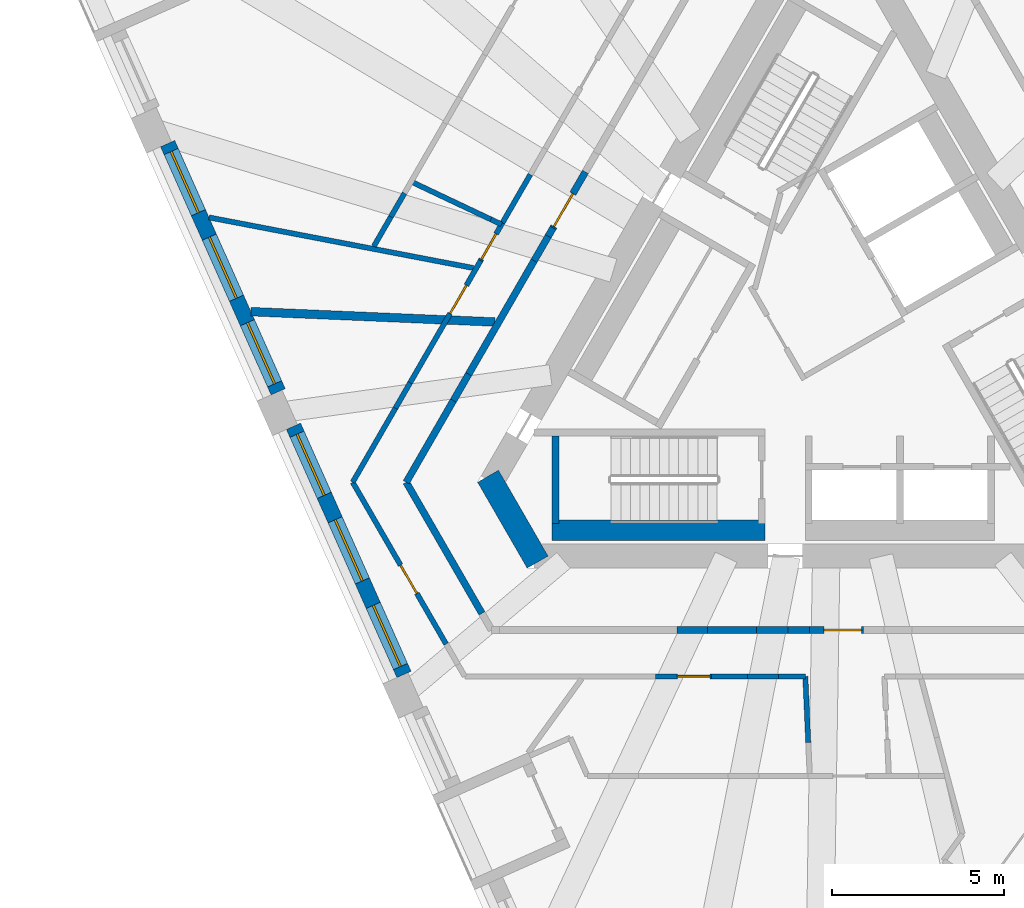
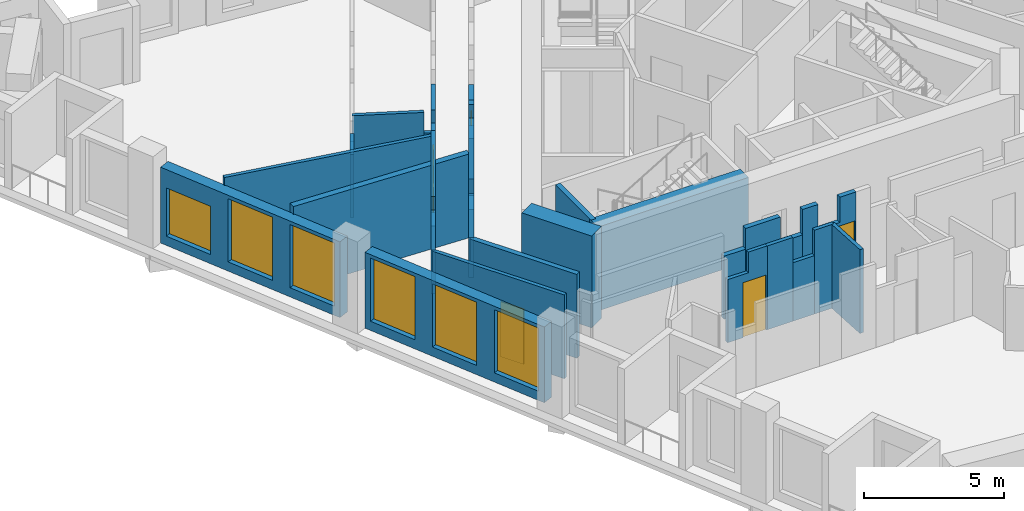
# One storey, part 3 of 11: 34 walls, 6 doors, 6 windows, 12 openings.
"""IFC4 building model written with IfcOpenShell, lengths in metres."""

from ifc_helpers import new_model, si_unit, direction, frame, frame_2d, origin, place, context, subcontext, project, spatial, polyline, rectangle, outline, extrude, material, layer, layer_set, type_object, element, fill, save


model = new_model("IFC4")

# Units and contexts
model_context = context("Model", 3, precision=1e-05, world=origin(), true_north=direction((0.0, 1.0)))
body_context = subcontext(model_context, "Body", "Model", "MODEL_VIEW")
ifc_project = project(units=[si_unit("LENGTHUNIT", "METRE"), si_unit("AREAUNIT", "SQUARE_METRE"), si_unit("VOLUMEUNIT", "CUBIC_METRE"), si_unit("PLANEANGLEUNIT", "RADIAN"), si_unit("MASSUNIT", "GRAM", prefix="KILO")], contexts=[model_context])

# Site, building, storey
site_placement = place(None, origin())
site = spatial("IfcSite", under=ifc_project, at=site_placement, CompositionType="ELEMENT")
building_placement = place(site_placement, origin())
building = spatial("IfcBuilding", under=site, at=building_placement, Name="Tramontana Tower", CompositionType="ELEMENT")
storey_placement = place(building_placement, frame((0.0, 0.0, 265.199951171875)))
storey = spatial("IfcBuildingStorey", under=building, at=storey_placement, Name="L62", CompositionType="ELEMENT", Elevation=265.199951171875)

# Wall
ifc_material_1 = material(Name="Concrete 70 MPa", Category="concrete")
ifc_layer_1 = layer(ifc_material_1, 0.699951171875)
ifc_layer_set_1 = layer_set([ifc_layer_1], Name="Core wall 700 70 MPa")
wall_type_1 = type_object("IfcWallType", Name="Core wall 700 70 MPa", PredefinedType="SHEAR", material=ifc_layer_set_1)
wall_1_placement = place(storey_placement, frame((-9.94482421875, -4.074951171875, 0.0), z_axis=(0.0, 0.0, 1.0), x_axis=(0.499995765644, -0.866027848477, 0.0)))
element("IfcWall", 1, at=wall_1_placement, inside=storey, type_object=wall_type_1, Name="Core wall C2 L62", PredefinedType="SHEAR", context=body_context, shape_type="SweptSolid", body=[
    extrude(rectangle(XDim=2.88671875, YDim=0.699951171875, at=frame_2d((1.443359375, 0.0))), origin(), (0.0, 0.0, 1.0), 4.0),
])

# Wall, opening, door
ifc_material_2 = material(Name="Blockwork", Category="masonry")
ifc_layer_2 = layer(ifc_material_2, 0.199951171875)
ifc_layer_set_2 = layer_set([ifc_layer_2], Name="ENTRY WALL 200")
wall_type_2 = type_object("IfcWallType", Name="ENTRY WALL 200", PredefinedType="SOLIDWALL", material=ifc_layer_set_2)
wall_2_placement = place(storey_placement, frame((-0.585205078125, -8.550048828125, 0.0), z_axis=(0.0, 0.0, 1.0), x_axis=(1.0, 0.0, 0.0)))
wall_2 = element("IfcWall", 2, at=wall_2_placement, inside=storey, type_object=wall_type_2, Name="Wall v62-ew1-5", PredefinedType="SOLIDWALL", context=body_context, shape_type="SweptSolid", body=[
    extrude(outline(polyline([(0.0, 0.0), (1.565673828125, 0.0), (1.56591796875, 3.650146484375), (0.900146484375, 3.650146484375), (0.900146484375, 2.550048828125), (0.0, 2.550048828125), (0.0, 0.0)])), frame((0.0, 0.10009765625, 0.0), z_axis=(0.0, -1.0, 0.0), x_axis=(1.0, 0.0, 0.0)), (0.0, 0.0, 1.0), 0.199951171875),
])
opening_1_placement = place(wall_2_placement, frame((0.415771484375, 0.0, 0.0)))
opening_1 = element("IfcOpeningElement", 3, at=opening_1_placement, cuts=wall_2, Name="Opening B6C-19", PredefinedType="OPENING", context=body_context, shape_type="SweptSolid", body=[
    extrude(rectangle(XDim=1.10009765625, YDim=2.39990234375, at=frame_2d((0.550048828125, 1.199951171875))), frame((0.0, 0.10986328125, 0.0), z_axis=(0.0, -1.0, 0.0), x_axis=(1.0, 0.0, 0.0)), (0.0, 0.0, 1.0), 0.219970703125),
])
ifc_material_3 = material(Name="Painted timber", Category="wood")
door_type_1 = type_object("IfcDoorType", Name="DOOR ENTRY 1100", OperationType="SINGLE_SWING_LEFT", PredefinedType="DOOR", material=ifc_material_3)
door_1_placement = place(opening_1_placement, origin())
door_1 = element("IfcDoor", 4, at=door_1_placement, inside=storey, type_object=door_type_1, Name="Door B6C-19", OperationType="SINGLE_SWING_LEFT", OverallHeight=2.39990234375, OverallWidth=1.10009765625, PredefinedType="DOOR", context=body_context, shape_type="SweptSolid", body=[
    extrude(rectangle(XDim=1.10009765625, YDim=2.39990234375, at=frame_2d((0.550048828125, 1.199951171875))), frame((0.0, 0.02490234375, 0.0), z_axis=(0.0, -1.0, 0.0), x_axis=(1.0, 0.0, 0.0)), (0.0, 0.0, 1.0), 0.050048828125),
])
fill(opening_1, door_1)

# Walls
wall_3_placement = place(storey_placement, frame((-0.585205078125, -8.550048828125, 0.0), z_axis=(0.0, 0.0, 1.0), x_axis=(-1.0, 0.0, 0.0)))
element("IfcWall", 5, at=wall_3_placement, inside=storey, type_object=wall_type_2, Name="Wall v62-ew1-6", PredefinedType="SOLIDWALL", context=body_context, shape_type="SweptSolid", body=[
    extrude(rectangle(XDim=0.6328125, YDim=0.199951171875, at=frame_2d((0.31640625, 0.0))), origin(), (0.0, 0.0, 1.0), 3.650146484375),
])
wall_4_placement = place(storey_placement, frame((-1.218017578125, -8.550048828125, 0.0), z_axis=(0.0, 0.0, 1.0), x_axis=(-1.0, 0.0, 0.0)))
element("IfcWall", 6, at=wall_4_placement, inside=storey, type_object=wall_type_2, Name="Wall v62-ew1-7", PredefinedType="SOLIDWALL", context=body_context, shape_type="SweptSolid", body=[
    extrude(rectangle(XDim=0.9169921875, YDim=0.199951171875, at=frame_2d((0.45849609375, 0.0))), origin(), (0.0, 0.0, 1.0), 2.550048828125),
])
wall_5_placement = place(storey_placement, frame((-2.135009765625, -8.550048828125, 0.0), z_axis=(0.0, 0.0, 1.0), x_axis=(-1.0, 0.0, 0.0)))
element("IfcWall", 7, at=wall_5_placement, inside=storey, type_object=wall_type_2, Name="Wall v62-ew1-8", PredefinedType="SOLIDWALL", context=body_context, shape_type="SweptSolid", body=[
    extrude(rectangle(XDim=1.4296875, YDim=0.199951171875, at=frame_2d((0.71484375, 0.0))), origin(), (0.0, 0.0, 1.0), 3.650146484375),
])
wall_6_placement = place(storey_placement, frame((-3.564697265625, -8.550048828125, 0.0), z_axis=(0.0, 0.0, 1.0), x_axis=(-1.0, 0.0, 0.0)))
element("IfcWall", 8, at=wall_6_placement, inside=storey, type_object=wall_type_2, Name="Wall v62-ew1-9", PredefinedType="SOLIDWALL", context=body_context, shape_type="SweptSolid", body=[
    extrude(rectangle(XDim=0.88330078125, YDim=0.199951171875, at=frame_2d((0.441650390625, 0.0))), origin(), (0.0, 0.0, 1.0), 2.75),
])
wall_7_placement = place(storey_placement, frame((-10.12255859375, -8.067138671875, 0.0), z_axis=(0.0, 0.0, 1.0), x_axis=(-0.500005339912, 0.866022320763, 0.0)))
element("IfcWall", 9, at=wall_7_placement, inside=storey, type_object=wall_type_2, Name="Wall v62-ew2-1", PredefinedType="SOLIDWALL", context=body_context, shape_type="SweptSolid", body=[
    extrude(rectangle(XDim=4.40771484375, YDim=0.199951171875, at=frame_2d((2.203857421875, 0.0))), origin(), (0.0, 0.0, 1.0), 3.650146484375),
])
wall_8_placement = place(storey_placement, frame((-12.326416015625, -4.25, 0.0), z_axis=(0.0, 0.0, 1.0), x_axis=(0.499994514761, 0.866028570666, 0.0)))
element("IfcWall", 10, at=wall_8_placement, inside=storey, type_object=wall_type_2, Name="Wall v62-ew3-0", PredefinedType="SOLIDWALL", context=body_context, shape_type="SweptSolid", body=[
    extrude(rectangle(XDim=2.74462890625, YDim=0.199951171875, at=frame_2d((1.372314453125, 0.0))), origin(), (0.0, 0.0, 1.0), 3.650146484375),
])
wall_9_placement = place(storey_placement, frame((-10.9541015625, -1.873046875, 0.0), z_axis=(0.0, 0.0, 1.0), x_axis=(0.500016243463, 0.866016025414, 0.0)))
element("IfcWall", 11, at=wall_9_placement, inside=storey, type_object=wall_type_2, Name="Wall v62-ew3-1", PredefinedType="SOLIDWALL", context=body_context, shape_type="SweptSolid", body=[
    extrude(rectangle(XDim=0.88720703125, YDim=0.199951171875, at=frame_2d((0.443603515625, 0.0))), origin(), (0.0, 0.0, 1.0), 2.949951171875),
])
wall_10_placement = place(storey_placement, frame((-10.510498046875, -1.104736328125, 0.0), z_axis=(0.0, 0.0, 1.0), x_axis=(0.499997905474, 0.866026613056, 0.0)))
element("IfcWall", 12, at=wall_10_placement, inside=storey, type_object=wall_type_2, Name="Wall v62-ew3-2", PredefinedType="SOLIDWALL", context=body_context, shape_type="SweptSolid", body=[
    extrude(rectangle(XDim=3.810546875, YDim=0.199951171875, at=frame_2d((1.9052734375, 0.0))), origin(), (0.0, 0.0, 1.0), 3.650146484375),
])
wall_11_placement = place(storey_placement, frame((-8.605224609375, 2.1953125, 0.0), z_axis=(0.0, 0.0, 1.0), x_axis=(0.499911126926, 0.866076708598, 0.0)))
element("IfcWall", 13, at=wall_11_placement, inside=storey, type_object=wall_type_2, Name="Wall v62-ew3-3", PredefinedType="SOLIDWALL", context=body_context, shape_type="SweptSolid", body=[
    extrude(rectangle(XDim=0.821533203125, YDim=0.199951171875, at=frame_2d((0.41064453125, 0.0))), origin(), (0.0, 0.0, 1.0), 2.75),
])
wall_12_placement = place(storey_placement, frame((-8.194580078125, 2.90673828125, 0.0), z_axis=(0.0, 0.0, 1.0), x_axis=(0.500220121494, 0.865898279276, 0.0)))
element("IfcWall", 14, at=wall_12_placement, inside=storey, type_object=wall_type_2, Name="Wall v62-ew3-4", PredefinedType="SOLIDWALL", context=body_context, shape_type="SweptSolid", body=[
    extrude(rectangle(XDim=0.282958984375, YDim=0.199951171875, at=frame_2d((0.1416015625, 0.0))), origin(), (0.0, 0.0, 1.0), 3.650146484375),
])

# Wall, opening, door
wall_13_placement = place(storey_placement, frame((-8.052978515625, 3.15185546875, 0.0), z_axis=(0.0, 0.0, 1.0), x_axis=(0.500059305753, 0.865991160884, 0.0)))
wall_13 = element("IfcWall", 15, at=wall_13_placement, inside=storey, type_object=wall_type_2, Name="Wall v62-ew3-5", PredefinedType="SOLIDWALL", context=body_context, shape_type="SweptSolid", body=[
    extrude(outline(polyline([(0.0, 0.0), (1.882080078125, 0.0), (1.882080078125, 2.550048828125), (0.982177734375, 2.550048828125), (0.982177734375, 3.650146484375), (0.0, 3.650146484375), (0.0, 0.0)])), frame((0.0, 0.10009765625, 0.0), z_axis=(0.0, -1.0, 0.0), x_axis=(1.0, 0.0, 0.0)), (0.0, 0.0, 1.0), 0.199951171875),
])
opening_2_placement = place(wall_13_placement, frame((0.050048828125, 0.0, 0.0)))
opening_2 = element("IfcOpeningElement", 16, at=opening_2_placement, cuts=wall_13, Name="Opening B6C-18", PredefinedType="OPENING", context=body_context, shape_type="SweptSolid", body=[
    extrude(rectangle(XDim=1.10009765625, YDim=2.39990234375, at=frame_2d((0.550048828125, 1.199951171875))), frame((0.0, 0.10986328125, 0.0), z_axis=(0.0, -1.0, 0.0), x_axis=(1.0, 0.0, 0.0)), (0.0, 0.0, 1.0), 0.219970703125),
])
door_2_placement = place(opening_2_placement, origin())
door_2 = element("IfcDoor", 17, at=door_2_placement, inside=storey, type_object=door_type_1, Name="Door B6C-18", OperationType="SINGLE_SWING_RIGHT", OverallHeight=2.39990234375, OverallWidth=1.10009765625, PredefinedType="DOOR", context=body_context, shape_type="SweptSolid", body=[
    extrude(rectangle(XDim=1.10009765625, YDim=2.39990234375, at=frame_2d((0.550048828125, 1.199951171875))), frame((0.0, 0.02490234375, 0.0), z_axis=(0.0, -1.0, 0.0), x_axis=(1.0, 0.0, 0.0)), (0.0, 0.0, 1.0), 0.050048828125),
])
fill(opening_2, door_2)

# Wall, openings, windows
ifc_material_4 = material(Name="Precast concrete 60 MPa", Category="concrete")
ifc_layer_3 = layer(ifc_material_4, 0.449951171875)
ifc_layer_set_3 = layer_set([ifc_layer_3], Name="Precast concrete 60 MPa, 450 mm")
wall_type_3 = type_object("IfcWallType", Name="EW1 Stone-faced precast wall 450", PredefinedType="SOLIDWALL", material=ifc_layer_set_3)
wall_14_placement = place(storey_placement, frame((-19.271484375, 5.606201171875, 0.0), z_axis=(0.0, 0.0, 1.0), x_axis=(0.406760076741, -0.913535023942, 0.0)))
wall_14 = element("IfcWall", 18, at=wall_14_placement, inside=storey, type_object=wall_type_3, Name="External wall L62 face 0 bay 2", PredefinedType="SOLIDWALL", context=body_context, shape_type="SweptSolid", body=[
    extrude(rectangle(XDim=7.906494140625, YDim=0.449951171875, at=frame_2d((3.953125, 0.0))), origin(), (0.0, 0.0, 1.0), 3.300048828125),
])
opening_3_placement = place(wall_14_placement, frame((0.251220703125, 0.0, 0.39990234375)))
opening_3 = element("IfcOpeningElement", 19, at=opening_3_placement, cuts=wall_14, Name="Opening M3L", PredefinedType="OPENING", context=body_context, shape_type="SweptSolid", body=[
    extrude(rectangle(XDim=1.949951171875, YDim=2.10009765625, at=frame_2d((0.97509765625, 1.050048828125))), frame((0.0, 0.23486328125, 0.0), z_axis=(0.0, -1.0, 0.0), x_axis=(1.0, 0.0, 0.0)), (0.0, 0.0, 1.0), 0.469970703125),
])
opening_4_placement = place(wall_14_placement, frame((2.978271484375, 0.0, 0.39990234375)))
opening_4 = element("IfcOpeningElement", 20, at=opening_4_placement, cuts=wall_14, Name="Opening M3", PredefinedType="OPENING", context=body_context, shape_type="SweptSolid", body=[
    extrude(rectangle(XDim=1.949951171875, YDim=2.75, at=frame_2d((0.97509765625, 1.375))), frame((0.0, 0.23486328125, 0.0), z_axis=(0.0, -1.0, 0.0), x_axis=(1.0, 0.0, 0.0)), (0.0, 0.0, 1.0), 0.469970703125),
])
opening_5_placement = place(wall_14_placement, frame((5.70556640625, 0.0, 0.39990234375)))
opening_5 = element("IfcOpeningElement", 21, at=opening_5_placement, cuts=wall_14, Name="Opening M3", PredefinedType="OPENING", context=body_context, shape_type="SweptSolid", body=[
    extrude(rectangle(XDim=1.949951171875, YDim=2.75, at=frame_2d((0.97509765625, 1.375))), frame((0.0, 0.23486328125, 0.0), z_axis=(0.0, -1.0, 0.0), x_axis=(1.0, 0.0, 0.0)), (0.0, 0.0, 1.0), 0.469970703125),
])
ifc_material_5 = material(Name="Aluminum frame, double glazing unit", Category="aluminium")
window_type_1 = type_object("IfcWindowType", Name="M3 Window 1.95 x 2.75", PartitioningType="SINGLE_PANEL", PredefinedType="WINDOW", material=ifc_material_5)
window_1_placement = place(opening_4_placement, origin())
window_1 = element("IfcWindow", 22, at=window_1_placement, inside=storey, type_object=window_type_1, Name="Window M3 L62 face 0 module 5", OverallHeight=2.75, OverallWidth=1.949951171875, PartitioningType="SINGLE_PANEL", PredefinedType="WINDOW", context=body_context, shape_type="SweptSolid", body=[
    extrude(rectangle(XDim=1.949951171875, YDim=2.75, at=frame_2d((0.97509765625, 1.375))), frame((0.0, 0.030029296875, 0.0), z_axis=(0.0, -1.0, 0.0), x_axis=(1.0, 0.0, 0.0)), (0.0, 0.0, 1.0), 0.06005859375),
])
fill(opening_4, window_1)
window_2_placement = place(opening_5_placement, origin())
window_2 = element("IfcWindow", 23, at=window_2_placement, inside=storey, type_object=window_type_1, Name="Window M3 L62 face 0 module 6", OverallHeight=2.75, OverallWidth=1.949951171875, PartitioningType="SINGLE_PANEL", PredefinedType="WINDOW", context=body_context, shape_type="SweptSolid", body=[
    extrude(rectangle(XDim=1.949951171875, YDim=2.75, at=frame_2d((0.97509765625, 1.375))), frame((0.0, 0.030029296875, 0.0), z_axis=(0.0, -1.0, 0.0), x_axis=(1.0, 0.0, 0.0)), (0.0, 0.0, 1.0), 0.06005859375),
])
fill(opening_5, window_2)
ifc_material_6 = material(Name="Aluminum frame, double glazing unit", Category="aluminium")
window_type_2 = type_object("IfcWindowType", Name="M3L Window 1.95 x 2.1", PartitioningType="SINGLE_PANEL", PredefinedType="WINDOW", material=ifc_material_6)
window_3_placement = place(opening_3_placement, origin())
window_3 = element("IfcWindow", 24, at=window_3_placement, inside=storey, type_object=window_type_2, Name="Window M3L L62 face 0 module 4", OverallHeight=2.10009765625, OverallWidth=1.949951171875, PartitioningType="SINGLE_PANEL", PredefinedType="WINDOW", context=body_context, shape_type="SweptSolid", body=[
    extrude(rectangle(XDim=1.949951171875, YDim=2.10009765625, at=frame_2d((0.97509765625, 1.050048828125))), frame((0.0, 0.030029296875, 0.0), z_axis=(0.0, -1.0, 0.0), x_axis=(1.0, 0.0, 0.0)), (0.0, 0.0, 1.0), 0.06005859375),
])
fill(opening_3, window_3)

wall_15_placement = place(storey_placement, frame((-15.608154296875, -2.62158203125, 0.0), z_axis=(0.0, 0.0, 1.0), x_axis=(0.406748602972, -0.91354013266, 0.0)))
wall_15 = element("IfcWall", 25, at=wall_15_placement, inside=storey, type_object=wall_type_3, Name="External wall L62 face 0 bay 3", PredefinedType="SOLIDWALL", context=body_context, shape_type="SweptSolid", body=[
    extrude(rectangle(XDim=7.90673828125, YDim=0.449951171875, at=frame_2d((3.953369140625, 0.0))), origin(), (0.0, 0.0, 1.0), 3.300048828125),
])
opening_6_placement = place(wall_15_placement, frame((0.251220703125, 0.0, 0.39990234375)))
opening_6 = element("IfcOpeningElement", 26, at=opening_6_placement, cuts=wall_15, Name="Opening M3", PredefinedType="OPENING", context=body_context, shape_type="SweptSolid", body=[
    extrude(rectangle(XDim=1.949951171875, YDim=2.75, at=frame_2d((0.97509765625, 1.375))), frame((0.0, 0.23486328125, 0.0), z_axis=(0.0, -1.0, 0.0), x_axis=(1.0, 0.0, 0.0)), (0.0, 0.0, 1.0), 0.469970703125),
])
opening_7_placement = place(wall_15_placement, frame((2.978271484375, 0.0, 0.39990234375)))
opening_7 = element("IfcOpeningElement", 27, at=opening_7_placement, cuts=wall_15, Name="Opening M3", PredefinedType="OPENING", context=body_context, shape_type="SweptSolid", body=[
    extrude(rectangle(XDim=1.949951171875, YDim=2.75, at=frame_2d((0.97509765625, 1.375))), frame((0.0, 0.23486328125, 0.0), z_axis=(0.0, -1.0, 0.0), x_axis=(1.0, 0.0, 0.0)), (0.0, 0.0, 1.0), 0.469970703125),
])
opening_8_placement = place(wall_15_placement, frame((5.70556640625, 0.0, 0.39990234375)))
opening_8 = element("IfcOpeningElement", 28, at=opening_8_placement, cuts=wall_15, Name="Opening M3", PredefinedType="OPENING", context=body_context, shape_type="SweptSolid", body=[
    extrude(rectangle(XDim=1.949951171875, YDim=2.75, at=frame_2d((0.97509765625, 1.375))), frame((0.0, 0.23486328125, 0.0), z_axis=(0.0, -1.0, 0.0), x_axis=(1.0, 0.0, 0.0)), (0.0, 0.0, 1.0), 0.469970703125),
])
window_4_placement = place(opening_6_placement, origin())
window_4 = element("IfcWindow", 29, at=window_4_placement, inside=storey, type_object=window_type_1, Name="Window M3 L62 face 0 module 7", OverallHeight=2.75, OverallWidth=1.949951171875, PartitioningType="SINGLE_PANEL", PredefinedType="WINDOW", context=body_context, shape_type="SweptSolid", body=[
    extrude(rectangle(XDim=1.949951171875, YDim=2.75, at=frame_2d((0.97509765625, 1.375))), frame((0.0, 0.030029296875, 0.0), z_axis=(0.0, -1.0, 0.0), x_axis=(1.0, 0.0, 0.0)), (0.0, 0.0, 1.0), 0.06005859375),
])
fill(opening_6, window_4)
window_5_placement = place(opening_7_placement, origin())
window_5 = element("IfcWindow", 30, at=window_5_placement, inside=storey, type_object=window_type_1, Name="Window M3 L62 face 0 module 8", OverallHeight=2.75, OverallWidth=1.949951171875, PartitioningType="SINGLE_PANEL", PredefinedType="WINDOW", context=body_context, shape_type="SweptSolid", body=[
    extrude(rectangle(XDim=1.949951171875, YDim=2.75, at=frame_2d((0.97509765625, 1.375))), frame((0.0, 0.030029296875, 0.0), z_axis=(0.0, -1.0, 0.0), x_axis=(1.0, 0.0, 0.0)), (0.0, 0.0, 1.0), 0.06005859375),
])
fill(opening_7, window_5)
window_6_placement = place(opening_8_placement, origin())
window_6 = element("IfcWindow", 31, at=window_6_placement, inside=storey, type_object=window_type_1, Name="Window M3 L62 face 0 module 9", OverallHeight=2.75, OverallWidth=1.949951171875, PartitioningType="SINGLE_PANEL", PredefinedType="WINDOW", context=body_context, shape_type="SweptSolid", body=[
    extrude(rectangle(XDim=1.949951171875, YDim=2.75, at=frame_2d((0.97509765625, 1.375))), frame((0.0, 0.030029296875, 0.0), z_axis=(0.0, -1.0, 0.0), x_axis=(1.0, 0.0, 0.0)), (0.0, 0.0, 1.0), 0.06005859375),
])
fill(opening_8, window_6)

# Walls
ifc_material_7 = material(Name="Gypsum board partition")
ifc_layer_4 = layer(ifc_material_7, 0.14990234375)
ifc_layer_set_4 = layer_set([ifc_layer_4], Name="PARTITION 150")
wall_type_4 = type_object("IfcWallType", Name="PARTITION 150", PredefinedType="PARTITIONING", material=ifc_layer_set_4)
wall_16_placement = place(storey_placement, frame((-13.88525390625, -4.25, 0.0), z_axis=(0.0, 0.0, 1.0), x_axis=(0.499999788377, 0.866025525965, 0.0)))
element("IfcWall", 32, at=wall_16_placement, inside=storey, type_object=wall_type_4, Name="Wall v62-pw00-0", PredefinedType="PARTITIONING", context=body_context, shape_type="SweptSolid", body=[
    extrude(rectangle(XDim=2.4892578125, YDim=0.14990234375, at=frame_2d((1.24462890625, 0.0))), origin(), (0.0, 0.0, 1.0), 3.650146484375),
])
wall_17_placement = place(storey_placement, frame((-12.640625, -2.09423828125, 0.0), z_axis=(0.0, 0.0, 1.0), x_axis=(0.500068347527, 0.865985939725, 0.0)))
element("IfcWall", 33, at=wall_17_placement, inside=storey, type_object=wall_type_4, Name="Wall v62-pw00-1", PredefinedType="PARTITIONING", context=body_context, shape_type="SweptSolid", body=[
    extrude(rectangle(XDim=0.85546875, YDim=0.14990234375, at=frame_2d((0.427734375, 0.0))), origin(), (0.0, 0.0, 1.0), 2.949951171875),
])

# Wall, opening, door
wall_18_placement = place(storey_placement, frame((-12.212890625, -1.353515625, 0.0), z_axis=(0.0, 0.0, 1.0), x_axis=(0.499992034702, 0.866030002502, 0.0)))
wall_18 = element("IfcWall", 34, at=wall_18_placement, inside=storey, type_object=wall_type_4, Name="Wall v62-pw00-2", PredefinedType="PARTITIONING", context=body_context, shape_type="SweptSolid", body=[
    extrude(rectangle(XDim=4.1025390625, YDim=0.14990234375, at=frame_2d((2.05126953125, 0.0))), origin(), (0.0, 0.0, 1.0), 3.650146484375),
])
opening_9_placement = place(wall_18_placement, frame((2.325439453125, 0.0, 0.0)))
opening_9 = element("IfcOpeningElement", 35, at=opening_9_placement, cuts=wall_18, Name="Opening B6C-04", PredefinedType="OPENING", context=body_context, shape_type="SweptSolid", body=[
    extrude(rectangle(XDim=0.949951171875, YDim=2.39990234375, at=frame_2d((0.47509765625, 1.199951171875))), frame((0.0, 0.0849609375, 0.0), z_axis=(0.0, -1.0, 0.0), x_axis=(1.0, 0.0, 0.0)), (0.0, 0.0, 1.0), 0.169921875),
])
ifc_material_8 = material(Name="Painted timber", Category="wood")
door_type_2 = type_object("IfcDoorType", Name="DOOR ROOM 950", OperationType="SINGLE_SWING_LEFT", PredefinedType="DOOR", material=ifc_material_8)
door_3_placement = place(opening_9_placement, origin())
door_3 = element("IfcDoor", 36, at=door_3_placement, inside=storey, type_object=door_type_2, Name="Door B6C-04", OperationType="SINGLE_SWING_RIGHT", OverallHeight=2.39990234375, OverallWidth=0.949951171875, PredefinedType="DOOR", context=body_context, shape_type="SweptSolid", body=[
    extrude(rectangle(XDim=0.949951171875, YDim=2.39990234375, at=frame_2d((0.47509765625, 1.199951171875))), frame((0.0, 0.02490234375, 0.0), z_axis=(0.0, -1.0, 0.0), x_axis=(1.0, 0.0, 0.0)), (0.0, 0.0, 1.0), 0.050048828125),
])
fill(opening_9, door_3)

wall_19_placement = place(storey_placement, frame((-10.16162109375, 2.199462890625, 0.0), z_axis=(0.0, 0.0, 1.0), x_axis=(0.499905678569, 0.86607985344, 0.0)))
wall_19 = element("IfcWall", 37, at=wall_19_placement, inside=storey, type_object=wall_type_4, Name="Wall v62-pw00-3", PredefinedType="PARTITIONING", context=body_context, shape_type="SweptSolid", body=[
    extrude(outline(polyline([(0.0, 0.0), (1.268798828125, 0.0), (1.268798828125, 2.75), (0.47314453125, 2.75), (0.47314453125, 3.650146484375), (0.0, 3.650146484375), (0.0, 0.0)])), frame((0.0, 0.074951171875, 0.0), z_axis=(0.0, -1.0, 0.0), x_axis=(1.0, 0.0, 0.0)), (0.0, 0.0, 1.0), 0.14990234375),
])
opening_10_placement = place(wall_19_placement, frame((0.050048828125, 0.0, 0.0)))
opening_10 = element("IfcOpeningElement", 38, at=opening_10_placement, cuts=wall_19, Name="Opening B6C-02", PredefinedType="OPENING", context=body_context, shape_type="SweptSolid", body=[
    extrude(rectangle(XDim=0.85009765625, YDim=2.39990234375, at=frame_2d((0.425048828125, 1.199951171875))), frame((0.0, 0.0849609375, 0.0), z_axis=(0.0, -1.0, 0.0), x_axis=(1.0, 0.0, 0.0)), (0.0, 0.0, 1.0), 0.169921875),
])
ifc_material_9 = material(Name="Painted timber", Category="wood")
door_type_3 = type_object("IfcDoorType", Name="DOOR BATH 850", OperationType="SINGLE_SWING_LEFT", PredefinedType="DOOR", material=ifc_material_9)
door_4_placement = place(opening_10_placement, origin())
door_4 = element("IfcDoor", 39, at=door_4_placement, inside=storey, type_object=door_type_3, Name="Door B6C-02", OperationType="SINGLE_SWING_RIGHT", OverallHeight=2.39990234375, OverallWidth=0.85009765625, PredefinedType="DOOR", context=body_context, shape_type="SweptSolid", body=[
    extrude(rectangle(XDim=0.85009765625, YDim=2.39990234375, at=frame_2d((0.425048828125, 1.199951171875))), frame((0.0, 0.02490234375, 0.0), z_axis=(0.0, -1.0, 0.0), x_axis=(1.0, 0.0, 0.0)), (0.0, 0.0, 1.0), 0.050048828125),
])
fill(opening_10, door_4)

# Walls
wall_20_placement = place(storey_placement, frame((-9.52734375, 3.29833984375, 0.0), z_axis=(0.0, 0.0, 1.0), x_axis=(0.500094991843, 0.865970553272, 0.0)))
element("IfcWall", 40, at=wall_20_placement, inside=storey, type_object=wall_type_4, Name="Wall v62-pw00-4", PredefinedType="PARTITIONING", context=body_context, shape_type="SweptSolid", body=[
    extrude(rectangle(XDim=1.626220703125, YDim=0.14990234375, at=frame_2d((0.81298828125, 0.0))), origin(), (0.0, 0.0, 1.0), 3.650146484375),
])
wall_21_placement = place(storey_placement, frame((-13.27001953125, 2.61572265625, 0.0), z_axis=(0.0, 0.0, 1.0), x_axis=(0.49997816789, 0.866038008192, 0.0)))
element("IfcWall", 41, at=wall_21_placement, inside=storey, type_object=wall_type_4, Name="Wall v62-pw01-0", PredefinedType="PARTITIONING", context=body_context, shape_type="SweptSolid", body=[
    extrude(rectangle(XDim=0.99169921875, YDim=0.14990234375, at=frame_2d((0.495849609375, 0.0))), origin(), (0.0, 0.0, 1.0), 3.650146484375),
])
wall_22_placement = place(storey_placement, frame((-12.774169921875, 3.474609375, 0.0), z_axis=(0.0, 0.0, 1.0), x_axis=(0.500165123728, 0.865930048564, 0.0)))
element("IfcWall", 42, at=wall_22_placement, inside=storey, type_object=wall_type_4, Name="Wall v62-pw01-1", PredefinedType="PARTITIONING", context=body_context, shape_type="SweptSolid", body=[
    extrude(rectangle(XDim=0.795654296875, YDim=0.14990234375, at=frame_2d((0.39794921875, 0.0))), origin(), (0.0, 0.0, 1.0), 2.75),
])

# Wall, opening, door
wall_23_placement = place(storey_placement, frame((-11.1650390625, -8.96142578125, 0.0), z_axis=(0.0, 0.0, 1.0), x_axis=(-0.500009912158, 0.866019680922, 0.0)))
wall_23 = element("IfcWall", 43, at=wall_23_placement, inside=storey, type_object=wall_type_4, Name="Wall v62-pw02-2", PredefinedType="PARTITIONING", context=body_context, shape_type="SweptSolid", body=[
    extrude(rectangle(XDim=5.4404296875, YDim=0.14990234375, at=frame_2d((2.72021484375, 0.0))), origin(), (0.0, 0.0, 1.0), 3.650146484375),
])
opening_11_placement = place(wall_23_placement, frame((1.703125, 0.0, 0.0)))
opening_11 = element("IfcOpeningElement", 44, at=opening_11_placement, cuts=wall_23, Name="Opening B6C-08", PredefinedType="OPENING", context=body_context, shape_type="SweptSolid", body=[
    extrude(rectangle(XDim=0.949951171875, YDim=2.39990234375, at=frame_2d((0.47509765625, 1.199951171875))), frame((0.0, 0.0849609375, 0.0), z_axis=(0.0, -1.0, 0.0), x_axis=(1.0, 0.0, 0.0)), (0.0, 0.0, 1.0), 0.169921875),
])
door_5_placement = place(opening_11_placement, origin())
door_5 = element("IfcDoor", 45, at=door_5_placement, inside=storey, type_object=door_type_2, Name="Door B6C-08", OperationType="SINGLE_SWING_RIGHT", OverallHeight=2.39990234375, OverallWidth=0.949951171875, PredefinedType="DOOR", context=body_context, shape_type="SweptSolid", body=[
    extrude(rectangle(XDim=0.949951171875, YDim=2.39990234375, at=frame_2d((0.47509765625, 1.199951171875))), frame((0.0, 0.02490234375, 0.0), z_axis=(0.0, -1.0, 0.0), x_axis=(1.0, 0.0, 0.0)), (0.0, 0.0, 1.0), 0.050048828125),
])
fill(opening_11, door_5)

# Walls
wall_24_placement = place(storey_placement, frame((-10.3720703125, 1.98486328125, 0.0), z_axis=(0.0, 0.0, 1.0), x_axis=(-0.982181141847, 0.187936703706, 0.0)))
element("IfcWall", 46, at=wall_24_placement, inside=storey, type_object=wall_type_4, Name="Wall v62-pw03", PredefinedType="PARTITIONING", context=body_context, shape_type="SweptSolid", body=[
    extrude(rectangle(XDim=7.8359375, YDim=0.14990234375, at=frame_2d((3.91796875, 0.0))), origin(), (0.0, 0.0, 1.0), 3.650146484375),
])
wall_25_placement = place(storey_placement, frame((-9.554931640625, 3.25439453125, 0.0), z_axis=(0.0, 0.0, 1.0), x_axis=(-0.903825387081, 0.427901471917, 0.0)))
element("IfcWall", 47, at=wall_25_placement, inside=storey, type_object=wall_type_4, Name="Wall v62-pw05-0", PredefinedType="PARTITIONING", context=body_context, shape_type="SweptSolid", body=[
    extrude(rectangle(XDim=0.340576171875, YDim=0.14990234375, at=frame_2d((0.17041015625, 0.0))), origin(), (0.0, 0.0, 1.0), 2.75),
])
wall_26_placement = place(storey_placement, frame((-9.86279296875, 3.400146484375, 0.0), z_axis=(0.0, 0.0, 1.0), x_axis=(-0.903761094906, 0.428037245265, 0.0)))
element("IfcWall", 48, at=wall_26_placement, inside=storey, type_object=wall_type_4, Name="Wall v62-pw05-1", PredefinedType="PARTITIONING", context=body_context, shape_type="SweptSolid", body=[
    extrude(rectangle(XDim=2.56494140625, YDim=0.14990234375, at=frame_2d((1.282470703125, 0.0))), origin(), (0.0, 0.0, 1.0), 3.650146484375),
])
wall_27_placement = place(storey_placement, frame((-0.71044921875, -9.89990234375, 0.0), z_axis=(0.0, 0.0, 1.0), x_axis=(-1.0, 0.0, 0.0)))
element("IfcWall", 49, at=wall_27_placement, inside=storey, type_object=wall_type_4, Name="Wall v62-pw11-0", PredefinedType="PARTITIONING", context=body_context, shape_type="SweptSolid", body=[
    extrude(rectangle(XDim=0.784912109375, YDim=0.14990234375, at=frame_2d((0.392578125, 0.0))), origin(), (0.0, 0.0, 1.0), 3.650146484375),
])
wall_28_placement = place(storey_placement, frame((-1.495361328125, -9.89990234375, 0.0), z_axis=(0.0, 0.0, 1.0), x_axis=(-1.0, 0.0, 0.0)))
element("IfcWall", 50, at=wall_28_placement, inside=storey, type_object=wall_type_4, Name="Wall v62-pw11-1", PredefinedType="PARTITIONING", context=body_context, shape_type="SweptSolid", body=[
    extrude(rectangle(XDim=0.891845703125, YDim=0.14990234375, at=frame_2d((0.44580078125, 0.0))), origin(), (0.0, 0.0, 1.0), 2.550048828125),
])
wall_29_placement = place(storey_placement, frame((-2.38720703125, -9.89990234375, 0.0), z_axis=(0.0, 0.0, 1.0), x_axis=(-1.0, 0.0, 0.0)))
element("IfcWall", 51, at=wall_29_placement, inside=storey, type_object=wall_type_4, Name="Wall v62-pw11-2", PredefinedType="PARTITIONING", context=body_context, shape_type="SweptSolid", body=[
    extrude(rectangle(XDim=1.048583984375, YDim=0.14990234375, at=frame_2d((0.5244140625, 0.0))), origin(), (0.0, 0.0, 1.0), 3.650146484375),
])

# Wall, opening, door
wall_30_placement = place(storey_placement, frame((-3.435791015625, -9.89990234375, 0.0), z_axis=(0.0, 0.0, 1.0), x_axis=(-1.0, 0.0, 0.0)))
wall_30 = element("IfcWall", 52, at=wall_30_placement, inside=storey, type_object=wall_type_4, Name="Wall v62-pw11-3", PredefinedType="PARTITIONING", context=body_context, shape_type="SweptSolid", body=[
    extrude(outline(polyline([(0.0, 0.0), (1.631103515625, 0.0), (1.630859375, 2.75), (0.775146484375, 2.75), (0.775146484375, 3.650146484375), (0.0, 3.650146484375), (0.0, 0.0)])), frame((0.0, 0.074951171875, 0.0), z_axis=(0.0, -1.0, 0.0), x_axis=(1.0, 0.0, 0.0)), (0.0, 0.0, 1.0), 0.14990234375),
])
opening_12_placement = place(wall_30_placement, frame((0.050048828125, 0.0, 0.0)))
opening_12 = element("IfcOpeningElement", 53, at=opening_12_placement, cuts=wall_30, Name="Opening B6C-05", PredefinedType="OPENING", context=body_context, shape_type="SweptSolid", body=[
    extrude(rectangle(XDim=0.949951171875, YDim=2.39990234375, at=frame_2d((0.47509765625, 1.199951171875))), frame((0.0, 0.0849609375, 0.0), z_axis=(0.0, -1.0, 0.0), x_axis=(1.0, 0.0, 0.0)), (0.0, 0.0, 1.0), 0.169921875),
])
door_6_placement = place(opening_12_placement, origin())
door_6 = element("IfcDoor", 54, at=door_6_placement, inside=storey, type_object=door_type_2, Name="Door B6C-05", OperationType="SINGLE_SWING_LEFT", OverallHeight=2.39990234375, OverallWidth=0.949951171875, PredefinedType="DOOR", context=body_context, shape_type="SweptSolid", body=[
    extrude(rectangle(XDim=0.949951171875, YDim=2.39990234375, at=frame_2d((0.47509765625, 1.199951171875))), frame((0.0, 0.02490234375, 0.0), z_axis=(0.0, -1.0, 0.0), x_axis=(1.0, 0.0, 0.0)), (0.0, 0.0, 1.0), 0.050048828125),
])
fill(opening_12, door_6)

# Walls
wall_31_placement = place(storey_placement, frame((-0.62451171875, -11.82958984375, 0.0), z_axis=(0.0, 0.0, 1.0), x_axis=(-0.044490315678, 0.999009815673, 0.0)))
element("IfcWall", 55, at=wall_31_placement, inside=storey, type_object=wall_type_4, Name="Wall v62-pw12-1", PredefinedType="PARTITIONING", context=body_context, shape_type="SweptSolid", body=[
    extrude(rectangle(XDim=1.931640625, YDim=0.14990234375, at=frame_2d((0.9658203125, 0.0))), origin(), (0.0, 0.0, 1.0), 3.650146484375),
])
ifc_material_10 = material(Name="Blockwork", Category="masonry")
ifc_layer_5 = layer(ifc_material_10, 0.25)
ifc_layer_set_5 = layer_set([ifc_layer_5], Name="PARTY WALL 250")
wall_type_5 = type_object("IfcWallType", Name="PARTY WALL 250", PredefinedType="SOLIDWALL", material=ifc_layer_set_5)
wall_32_placement = place(storey_placement, frame((-9.749267578125, 0.413818359375, 0.0), z_axis=(0.0, 0.0, 1.0), x_axis=(-0.999101948484, 0.042370939757, 0.0)))
element("IfcWall", 56, at=wall_32_placement, inside=storey, type_object=wall_type_5, Name="Wall v62-pw04", PredefinedType="SOLIDWALL", context=body_context, shape_type="SweptSolid", body=[
    extrude(rectangle(XDim=7.1044921875, YDim=0.25, at=frame_2d((3.55224609375, 0.0))), origin(), (0.0, 0.0, 1.0), 3.650146484375),
])
ifc_material_11 = material(Name="Concrete 70 MPa", Category="concrete")
ifc_layer_6 = layer(ifc_material_11, 0.60009765625)
ifc_layer_set_6 = layer_set([ifc_layer_6], Name="Concrete 70 MPa, 600 mm")
wall_type_6 = type_object("IfcWallType", Name="RC SHAFT BACK WALL 600", PredefinedType="SOLIDWALL", material=ifc_layer_set_6)
wall_33_placement = place(storey_placement, frame((-8.080078125, -5.64990234375, 0.0), z_axis=(0.0, 0.0, 1.0), x_axis=(1.0, 0.0, 0.0)))
element("IfcWall", 57, at=wall_33_placement, inside=storey, type_object=wall_type_6, Name="Wall st2-back", PredefinedType="SOLIDWALL", context=body_context, shape_type="SweptSolid", body=[
    extrude(rectangle(XDim=6.2001953125, YDim=0.60009765625, at=frame_2d((3.10009765625, 0.0))), origin(), (0.0, 0.0, 1.0), 3.650146484375),
])
ifc_material_12 = material(Name="Concrete 70 MPa", Category="concrete")
ifc_layer_7 = layer(ifc_material_12, 0.199951171875)
ifc_layer_set_7 = layer_set([ifc_layer_7], Name="Concrete 70 MPa, 200 mm")
wall_type_7 = type_object("IfcWallType", Name="RC STAIR AND SHAFT WALL 200", PredefinedType="SOLIDWALL", material=ifc_layer_set_7)
wall_34_placement = place(storey_placement, frame((-7.97998046875, -2.89990234375, 0.0), z_axis=(0.0, 0.0, 1.0), x_axis=(0.0, -1.0, 0.0)))
element("IfcWall", 58, at=wall_34_placement, inside=storey, type_object=wall_type_7, Name="Wall st2-far", PredefinedType="SOLIDWALL", context=body_context, shape_type="SweptSolid", body=[
    extrude(rectangle(XDim=2.550048828125, YDim=0.199951171875, at=frame_2d((1.27490234375, 0.0))), origin(), (0.0, 0.0, 1.0), 3.650146484375),
])

save(model, "model.ifc")
